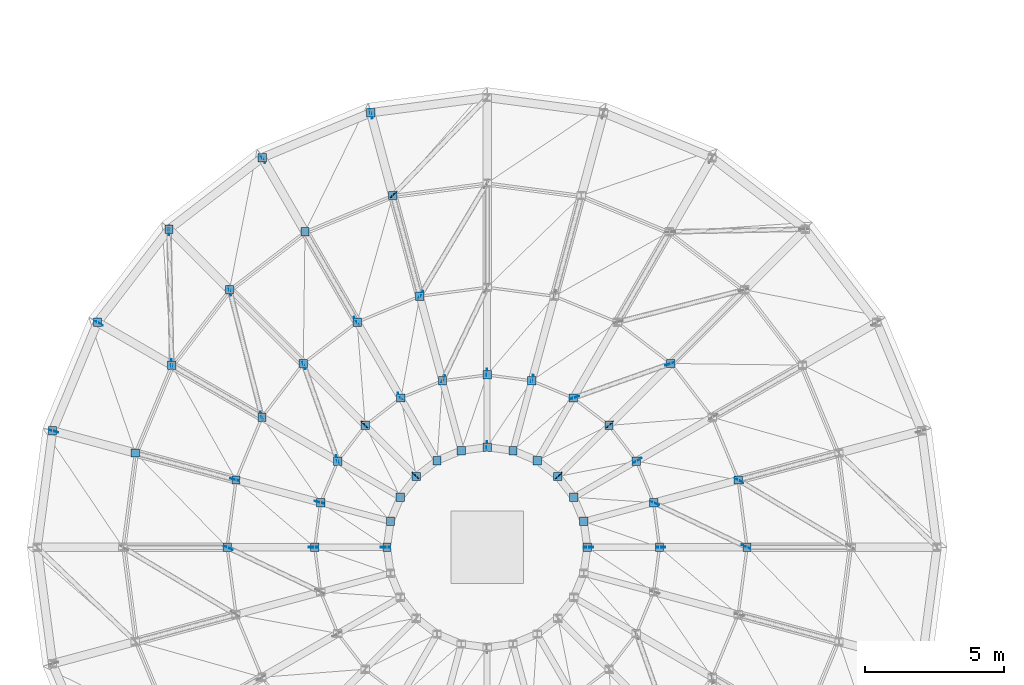
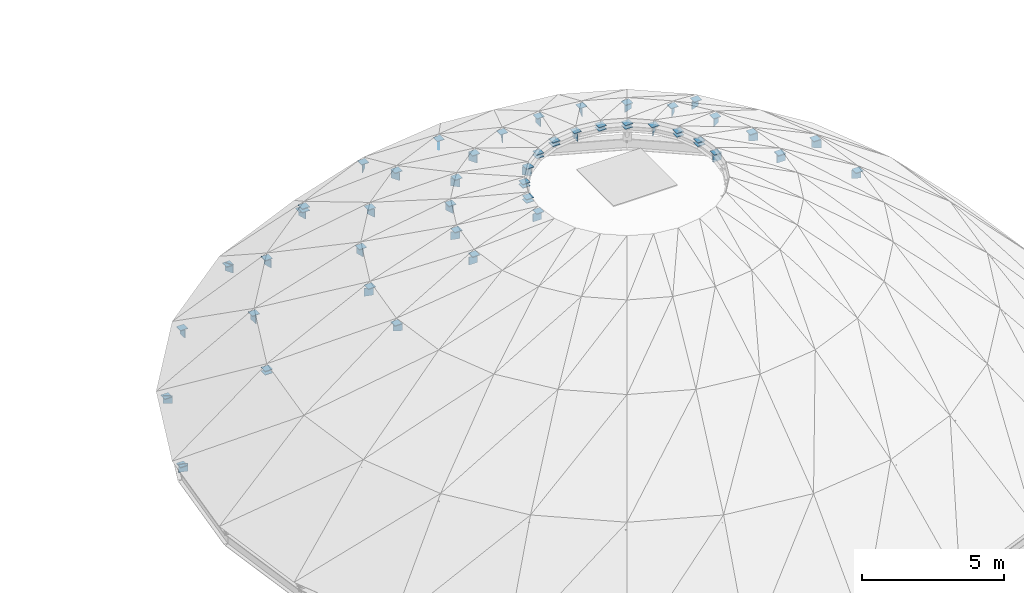
# One storey, part 17 of 19: 90 discrete accessories.
"""IFC4 building model written with IfcOpenShell, lengths in metres."""

import ifcopenshell
import ifcopenshell.guid

model = None  # the IFC model being written
_history = None  # IfcOwnerHistory: only IFC2X3 demands one
_inside = {}  # id of a spatial element -> (the spatial element, [elements in it])
_under = {}  # id of a project, library or spatial element -> (it, [spatial elements below it])
_declared = {}  # id of a project -> (the project, [libraries it declares])
_typed = {}  # id of a type object -> (the type object, [elements of that type])
_made_of = {}  # id of a material, layer set ... -> (it, [elements and type objects made of it])


def new_model(schema):
    """Start an empty IFC model of exactly this schema.

    Asked for "IFC4X3", IfcOpenShell would pick the latest addendum, in which some entities
    have other attributes; the version numbers below select the first issue.
    IFC2X3 requires an IfcOwnerHistory on every rooted entity: one is made here for all.
    """
    global model, _history
    if schema == "IFC4X3":
        model = ifcopenshell.file(schema_version=(4, 3, 0, 0))
    else:
        model = ifcopenshell.file(schema=schema)
    _inside.clear()
    _under.clear()
    _declared.clear()
    _typed.clear()
    _made_of.clear()
    _history = None
    if model.schema == "IFC2X3":
        org = make("IfcOrganization", Name="unknown")
        user = make(
            "IfcPersonAndOrganization",
            ThePerson=make("IfcPerson", FamilyName="unknown"),
            TheOrganization=org,
        )
        app = make(
            "IfcApplication",
            ApplicationDeveloper=org,
            Version="unknown",
            ApplicationFullName="unknown",
            ApplicationIdentifier="unknown",
        )
        _history = make(
            "IfcOwnerHistory",
            OwningUser=user,
            OwningApplication=app,
            ChangeAction="ADDED",
            CreationDate=0,
        )
    return model


def make(cls, **values):
    """One entity of the class cls with the attributes given. An attribute that is None is left unset."""
    return model.create_entity(
        cls, **{name: value for name, value in values.items() if value is not None}
    )


def rooted(cls, **values):
    """An entity with a GlobalId (a new one), such as an element, a storey or a relation."""
    return make(cls, GlobalId=ifcopenshell.guid.new(), OwnerHistory=_history, **values)


def si_unit(unit_type, name, prefix=None):
    """IfcSIUnit, for example si_unit("LENGTHUNIT", "METRE", prefix="MILLI")."""
    return make("IfcSIUnit", UnitType=unit_type, Prefix=prefix, Name=name)


def assignment(units):
    """IfcUnitAssignment: the units of a project."""
    return None if units is None else make("IfcUnitAssignment", Units=units)


def point(xyz):
    """IfcCartesianPoint."""
    return None if xyz is None else make("IfcCartesianPoint", Coordinates=xyz)


def direction(xyz):
    """IfcDirection."""
    return None if xyz is None else make("IfcDirection", DirectionRatios=xyz)


def frame(location, z_axis=None, x_axis=None):
    """IfcAxis2Placement3D, a coordinate frame: its origin and axes. An axis left out is left unset."""
    return make(
        "IfcAxis2Placement3D",
        Location=point(location),
        Axis=direction(z_axis),
        RefDirection=direction(x_axis),
    )


def frame_2d(location, x_axis=None):
    """IfcAxis2Placement2D, a coordinate frame in the plane: its origin and x axis."""
    return make(
        "IfcAxis2Placement2D", Location=point(location), RefDirection=direction(x_axis)
    )


def origin():
    """The frame at (0, 0, 0) with its axes left unset."""
    return frame((0.0, 0.0, 0.0))


def origin_2d():
    """The frame at (0, 0) in the plane with its x axis left unset."""
    return frame_2d((0.0, 0.0))


def place(relative_to, where):
    """IfcLocalPlacement: puts the frame where relative to a parent placement (None: the world)."""
    return make(
        "IfcLocalPlacement", PlacementRelTo=relative_to, RelativePlacement=where
    )


def context(
    kind, dimensions, precision=None, world=None, true_north=None, identifier=None
):
    """IfcGeometricRepresentationContext, for example the 3D "Model" context."""
    return make(
        "IfcGeometricRepresentationContext",
        ContextIdentifier=identifier,
        ContextType=kind,
        CoordinateSpaceDimension=dimensions,
        Precision=precision,
        WorldCoordinateSystem=world,
        TrueNorth=true_north,
    )


def subcontext(parent, identifier, kind, view, scale=None):
    """IfcGeometricRepresentationSubContext, for example "Body" below "Model"."""
    return make(
        "IfcGeometricRepresentationSubContext",
        ContextIdentifier=identifier,
        ContextType=kind,
        ParentContext=parent,
        TargetScale=scale,
        TargetView=view,
    )


def project(units=None, contexts=None):
    """IfcProject with its units and contexts."""
    return rooted(
        "IfcProject",
        Name="project",
        RepresentationContexts=contexts,
        UnitsInContext=assignment(units),
    )


def spatial(cls, under=None, at=None, **own):
    """A site, building, storey or space (cls), placed at a placement, below another one or the project."""
    s = rooted(cls, ObjectPlacement=at, **own)
    if under is not None:
        _under.setdefault(under.id(), (under, []))[1].append(s)
    return s


def profile(cls, at=None, kind="AREA", **sizes):
    """A parametric profile (cls). Its sizes go by their IFC names, for example OverallWidth=200.0."""
    return make(cls, ProfileType=kind, Position=at, **sizes)


def rectangle(**sizes):
    """IfcRectangleProfileDef."""
    return profile("IfcRectangleProfileDef", **sizes)


def extrude(swept, where, along, depth):
    """IfcExtrudedAreaSolid: the profile swept, set in the frame where, extruded along a direction by depth."""
    return make(
        "IfcExtrudedAreaSolid",
        SweptArea=swept,
        Position=where,
        ExtrudedDirection=direction(along),
        Depth=depth,
    )


def shape(context_of_items, identifier, shape_type, items):
    """IfcShapeRepresentation: the items that make up one representation, for example the "Body"."""
    return make(
        "IfcShapeRepresentation",
        ContextOfItems=context_of_items,
        RepresentationIdentifier=identifier,
        RepresentationType=shape_type,
        Items=items,
    )


def material(Name=None, Category=None):
    """IfcMaterial."""
    return make("IfcMaterial", Name=Name, Category=Category)


def made_of(thing, what):
    """Note that an element or type object is made of a material, layer set ...; save() writes the relation."""
    if what is not None:
        _made_of.setdefault(what.id(), (what, []))[1].append(thing)
    return thing


def type_object(cls, material=None, **own):
    """A type object (cls), such as IfcWallType, which elements share."""
    return made_of(rooted(cls, **own), material)


def element(
    cls,
    number,
    at=None,
    inside=None,
    cuts=None,
    type_object=None,
    material=None,
    context=None,
    identifier="Body",
    shape_type=None,
    held_by="IfcProductDefinitionShape",
    body=None,
    shapes=None,
    **own,
):
    """One element of the class cls, such as IfcWall. Its Tag is "e" and its number.

    at: its placement. inside: the storey or other place that contains it. cuts: it is an
    opening in that element (IfcRelVoidsElement). A single representation is given by context,
    identifier, shape_type and body (its items); several are given by shapes. held_by: the class
    of the entity that holds the representations. save() writes the other relations.
    """
    e = rooted(cls, Tag="e%d" % number, ObjectPlacement=at, **own)
    if body is not None:
        shapes = [shape(context, identifier, shape_type, body)]
    if shapes is not None:
        e.Representation = make(held_by, Representations=shapes)
    if inside is not None:
        _inside.setdefault(inside.id(), (inside, []))[1].append(e)
    if cuts is not None:
        rooted(
            "IfcRelVoidsElement", RelatingBuildingElement=cuts, RelatedOpeningElement=e
        )
    if type_object is not None:
        _typed.setdefault(type_object.id(), (type_object, []))[1].append(e)
    return made_of(e, material)


def aggregate(whole, parts):
    """IfcRelAggregates: a whole, such as a stair, and the parts it consists of."""
    return rooted("IfcRelAggregates", RelatingObject=whole, RelatedObjects=parts)


def save(model, path):
    """Write the relations noted so far, then the file.

    IfcRelAggregates (storeys below a building ...), IfcRelContainedInSpatialStructure (elements
    in a storey), IfcRelDefinesByType, IfcRelAssociatesMaterial and IfcRelDeclares: one each for
    every whole, place, type object, material and project.
    """
    for whole, parts in _under.values():
        aggregate(whole, parts)
    for where, things in _inside.values():
        rooted(
            "IfcRelContainedInSpatialStructure",
            RelatedElements=things,
            RelatingStructure=where,
        )
    for kind, things in _typed.values():
        rooted("IfcRelDefinesByType", RelatedObjects=things, RelatingType=kind)
    for what, things in _made_of.values():
        rooted("IfcRelAssociatesMaterial", RelatedObjects=things, RelatingMaterial=what)
    for by, libraries in _declared.values():
        rooted("IfcRelDeclares", RelatingContext=by, RelatedDefinitions=libraries)
    model.write(path)


model = new_model("IFC4")

# Units and contexts
model_context = context("Model", 3, precision=1e-05, world=origin(), true_north=direction((0.0, 1.0)))
body_context = subcontext(model_context, "Body", "Model", "MODEL_VIEW")
ifc_project = project(units=[si_unit("LENGTHUNIT", "METRE"), si_unit("AREAUNIT", "SQUARE_METRE"), si_unit("VOLUMEUNIT", "CUBIC_METRE"), si_unit("PLANEANGLEUNIT", "RADIAN"), si_unit("MASSUNIT", "GRAM", prefix="KILO")], contexts=[model_context])

# Site, building, storey
site_placement = place(None, origin())
site = spatial("IfcSite", under=ifc_project, at=site_placement, CompositionType="ELEMENT")
building_placement = place(site_placement, origin())
building = spatial("IfcBuilding", under=site, at=building_placement, Name="Montecoro Central Library", CompositionType="ELEMENT")
storey_placement = place(building_placement, frame((0.0, 0.0, 25.5)))
storey = spatial("IfcBuildingStorey", under=building, at=storey_placement, Name="ROOF", CompositionType="ELEMENT", Elevation=25.5)

# Discrete accessories
ifc_material = material(Name="Steel S355", Category="steel")
discrete_accessory_type = type_object("IfcDiscreteAccessoryType", Name="GUSSET-PLT-01", PredefinedType="BRACKET", material=ifc_material)
for number, where, z_axis, x_axis, name in (
    (1, (100.6669921875, 37.798095703125, -1.94580078125), (0.0, 0.0, 1.0), (-0.859406411501, 0.511293086077, 0.0), "V1-DOME-BR-B1-S2-GPB"),
    (2, (100.909912109375, 35.4189453125, -1.89794921875), (0.0, 0.0, 1.0), (-0.902434952642, 0.430826132274, 0.0), "V1-DOME-BR-B1-S3-GPA"),
    (3, (97.62890625, 36.986083984375, -0.09228515625), (0.0, 0.0, 1.0), (-0.902434952642, 0.430826132274, 0.0), "V1-DOME-BR-B1-S3-GPB"),
    (4, (98.1689453125, 41.99609375, -1.89794921875), (0.0, 0.0, 1.0), (-0.942757954236, -0.33347779495, 0.0), "V1-DOME-BR-B2-S3-GPA"),
    (5, (94.741943359375, 40.783935546875, -0.09228515625), (0.0, 0.0, 1.0), (-0.942757954236, -0.33347779495, 0.0), "V1-DOME-BR-B2-S3-GPB"),
    (6, (88.237060546875, 48.0830078125, -4.7998046875), (0.0, 0.0, 1.0), (-0.69315026625, -0.720793110676, 0.0), "V1-DOME-BR-B3-S1-GPB"),
    (7, (89.201904296875, 44.467041015625, -1.94580078125), (0.0, 0.0, 1.0), (-0.511293086077, -0.859406411501, 0.0), "V1-DOME-BR-B3-S2-GPB"),
    (8, (90.013916015625, 41.428955078125, -0.09228515625), (0.0, 0.0, 1.0), (-0.430826132274, -0.902434952642, 0.0), "V1-DOME-BR-B3-S3-GPB"),
    (9, (80.159912109375, 46.801025390625, -8.2998046875), (0.0, 0.0, 1.0), (0.019720942027, -0.999805523312, 0.0), "V1-DOME-BR-B4-S1-GPA"),
    (10, (80.25390625, 41.989990234375, -4.7998046875), (0.0, 0.0, 1.0), (0.019720942027, -0.999805523312, 0.0), "V1-DOME-BR-B4-S1-GPB"),
    (11, (82.346923828125, 44.6220703125, -4.744140625), (0.0, 0.0, 1.0), (0.246322451985, -0.96918793309, 0.0), "V1-DOME-BR-B4-S2-GPA"),
    (12, (83.492919921875, 40.115966796875, -1.94580078125), (0.0, 0.0, 1.0), (0.246322451985, -0.96918793309, 0.0), "V1-DOME-BR-B4-S2-GPB"),
    (13, (85.00390625, 41.968994140625, -1.89794921875), (0.0, 0.0, 1.0), (0.33347779495, -0.942757954236, 0.0), "V1-DOME-BR-B4-S3-GPA"),
    (14, (86.216064453125, 38.5419921875, -0.09228515625), (0.0, 0.0, 1.0), (0.33347779495, -0.942757954236, 0.0), "V1-DOME-BR-B4-S3-GPB"),
    (15, (82.2900390625, 35.381103515625, -1.89794921875), (0.0, 0.0, 1.0), (0.902434952642, -0.430826132274, 0.0), "V1-DOME-BR-B5-S3-GPA"),
    (16, (97.845947265625, 35.39990234375, -0.10888671875), (0.0, 0.0, 1.0), (-1.0, 0.0, 0.0), "V1-DOME-SPK-R3-01-GPB"),
    (17, (95.248046875, 35.39990234375, 0.833984375), (0.0, 0.0, 1.0), (-1.0, 0.0, 0.0), "V1-DOME-SPK-R4-01-GPB"),
    (18, (97.009033203125, 38.52294921875, -0.10888671875), (0.0, 0.0, 1.0), (-0.866112657056, -0.499848842438, 0.0), "V1-DOME-SPK-R3-03-GPB"),
    (19, (96.01708984375, 39.81689453125, -0.10888671875), (0.0, 0.0, 1.0), (-0.707106781187, -0.707106781187, 0.0), "V1-DOME-SPK-R3-04-GPB"),
    (20, (94.179931640625, 37.97998046875, 0.833984375), (0.0, 0.0, 1.0), (-0.707106781187, -0.707106781187, 0.0), "V1-DOME-SPK-R4-04-GPB"),
    (21, (93.217041015625, 41.43408203125, -0.10888671875), (0.0, 0.0, 1.0), (-0.258819045103, -0.965925826289, 0.0), "V1-DOME-SPK-R3-06-GPB"),
    (22, (91.60009765625, 41.64599609375, -0.10888671875), (0.0, 0.0, 1.0), (0.0, -1.0, 0.0), "V1-DOME-SPK-R3-07-GPB"),
    (23, (91.60009765625, 39.048095703125, 0.833984375), (0.0, 0.0, 1.0), (0.0, -1.0, 0.0), "V1-DOME-SPK-R4-07-GPB"),
    (24, (87.424072265625, 50.987060546875, -8.2890625), (0.0, 0.0, 1.0), (0.258819045103, -0.965925826289, 0.0), "V1-DOME-SPK-R2-08-GPA"),
    (25, (83.531982421875, 49.3740234375, -8.2890625), (0.0, 0.0, 1.0), (0.500151142331, -0.865938124132, 0.0), "V1-DOME-SPK-R2-09-GPA"),
    (26, (86.903076171875, 43.534912109375, -1.9609375), (0.0, 0.0, 1.0), (0.500151142331, -0.865938124132, 0.0), "V1-DOME-SPK-R2-09-GPB"),
    (27, (88.47705078125, 40.80908203125, -0.10888671875), (0.0, 0.0, 1.0), (0.499848842438, -0.866112657056, 0.0), "V1-DOME-SPK-R3-09-GPB"),
    (28, (87.18310546875, 39.81689453125, -0.10888671875), (0.0, 0.0, 1.0), (0.707106781187, -0.707106781187, 0.0), "V1-DOME-SPK-R3-10-GPB"),
    (29, (89.02001953125, 37.97998046875, 0.833984375), (0.0, 0.0, 1.0), (0.707106781187, -0.707106781187, 0.0), "V1-DOME-SPK-R4-10-GPB"),
    (30, (77.6259765625, 43.468017578125, -8.2890625), (0.0, 0.0, 1.0), (0.865938124132, -0.500151142331, 0.0), "V1-DOME-SPK-R2-11-GPA"),
    (31, (76.012939453125, 39.575927734375, -8.2890625), (0.0, 0.0, 1.0), (0.965925826289, -0.258819045103, 0.0), "V1-DOME-SPK-R2-12-GPA"),
    (32, (82.527099609375, 37.83203125, -1.9609375), (0.0, 0.0, 1.0), (0.965925826289, -0.258819045103, 0.0), "V1-DOME-SPK-R2-12-GPB"),
    (33, (85.56591796875, 37.01708984375, -0.10888671875), (0.0, 0.0, 1.0), (0.965925826289, -0.258819045103, 0.0), "V1-DOME-SPK-R3-12-GPB"),
    (34, (85.35400390625, 35.39990234375, -0.10888671875), (0.0, 0.0, 1.0), (1.0, 0.0, 0.0), "V1-DOME-SPK-R3-13-GPB"),
    (35, (87.951904296875, 35.39990234375, 0.833984375), (0.0, 0.0, 1.0), (1.0, 0.0, 0.0), "V1-DOME-SPK-R4-13-GPB"),
):
    element("IfcDiscreteAccessory", number, at=place(storey_placement, frame(where, z_axis=z_axis, x_axis=x_axis)), inside=storey, type_object=discrete_accessory_type, Name=name, PredefinedType="BRACKET", context=body_context, shape_type="SweptSolid", body=[
        extrude(rectangle(XDim=0.340087890625, YDim=0.02392578125, at=origin_2d()), origin(), (0.0, 0.0, 1.0), 0.340087890625),
    ])
for number, where, z_axis, x_axis, name in (
    (36, (87.412109375, 51.029052734375, -7.98193359375), (0.0, 0.0, 1.0), (1.0, 0.0, 0.0), "V1-DOME-STOOL-R0-08-GPB"),
    (37, (83.510009765625, 49.412109375, -7.98193359375), (0.0, 0.0, 1.0), (1.0, 0.0, 0.0), "V1-DOME-STOOL-R0-09-GPB"),
    (38, (80.158935546875, 46.841064453125, -7.98193359375), (0.0, 0.0, 1.0), (1.0, 0.0, 0.0), "V1-DOME-STOOL-R0-10-GPB"),
    (39, (77.587890625, 43.489990234375, -7.98193359375), (0.0, 0.0, 1.0), (1.0, 0.0, 0.0), "V1-DOME-STOOL-R0-11-GPB"),
    (40, (75.970947265625, 39.587890625, -7.98193359375), (0.0, 0.0, 1.0), (1.0, 0.0, 0.0), "V1-DOME-STOOL-R0-12-GPB"),
    (41, (88.208984375, 48.053955078125, -4.421875), (0.0, 0.0, 1.0), (1.0, 0.0, 0.0), "V1-DOME-STOOL-R1-08-GPB"),
    (42, (85.050048828125, 46.7451171875, -4.572021484375), (0.0, 0.0, 1.0), (1.0, 0.0, 0.0), "V1-DOME-STOOL-R1-09-GPA"),
    (43, (85.050048828125, 46.7451171875, -4.421875), (0.0, 0.0, 1.0), (1.0, 0.0, 0.0), "V1-DOME-STOOL-R1-09-GPB"),
    (44, (82.3369140625, 44.6630859375, -4.421875), (0.0, 0.0, 1.0), (1.0, 0.0, 0.0), "V1-DOME-STOOL-R1-10-GPB"),
    (45, (80.2548828125, 41.949951171875, -4.421875), (0.0, 0.0, 1.0), (1.0, 0.0, 0.0), "V1-DOME-STOOL-R1-11-GPB"),
    (46, (78.946044921875, 38.791015625, -4.572021484375), (0.0, 0.0, 1.0), (1.0, 0.0, 0.0), "V1-DOME-STOOL-R1-12-GPA"),
    (47, (78.946044921875, 38.791015625, -4.421875), (0.0, 0.0, 1.0), (1.0, 0.0, 0.0), "V1-DOME-STOOL-R1-12-GPB"),
    (48, (100.949951171875, 35.39990234375, -1.572021484375), (0.0, 0.0, 1.0), (1.0, 0.0, 0.0), "V1-DOME-STOOL-R2-01-GPB"),
    (49, (100.631103515625, 37.820068359375, -1.572021484375), (0.0, 0.0, 1.0), (1.0, 0.0, 0.0), "V1-DOME-STOOL-R2-02-GPB"),
    (50, (98.2109375, 42.010986328125, -1.572021484375), (0.0, 0.0, 1.0), (1.0, 0.0, 0.0), "V1-DOME-STOOL-R2-04-GPB"),
    (51, (89.179931640625, 44.430908203125, -1.572021484375), (0.0, 0.0, 1.0), (1.0, 0.0, 0.0), "V1-DOME-STOOL-R2-08-GPB"),
    (52, (86.925048828125, 43.4970703125, -1.572021484375), (0.0, 0.0, 1.0), (1.0, 0.0, 0.0), "V1-DOME-STOOL-R2-09-GPB"),
    (53, (84.989013671875, 42.010986328125, -1.572021484375), (0.0, 0.0, 1.0), (1.0, 0.0, 0.0), "V1-DOME-STOOL-R2-10-GPB"),
    (54, (83.5029296875, 40.074951171875, -1.572021484375), (0.0, 0.0, 1.0), (1.0, 0.0, 0.0), "V1-DOME-STOOL-R2-11-GPB"),
    (55, (82.569091796875, 37.820068359375, -1.572021484375), (0.0, 0.0, 1.0), (1.0, 0.0, 0.0), "V1-DOME-STOOL-R2-12-GPB"),
    (56, (82.25, 35.39990234375, -1.572021484375), (0.0, 0.0, 1.0), (1.0, 0.0, 0.0), "V1-DOME-STOOL-R2-13-GPB"),
    (57, (97.800048828125, 35.39990234375, 0.278076171875), (0.0, 0.0, 1.0), (1.0, 0.0, 0.0), "V1-DOME-STOOL-R3-01-GPB"),
    (58, (97.589111328125, 37.0048828125, 0.278076171875), (0.0, 0.0, 1.0), (1.0, 0.0, 0.0), "V1-DOME-STOOL-R3-02-GPB"),
    (59, (96.968994140625, 38.5, 0.278076171875), (0.0, 0.0, 1.0), (1.0, 0.0, 0.0), "V1-DOME-STOOL-R3-03-GPB"),
    (60, (95.98388671875, 39.783935546875, 0.278076171875), (0.0, 0.0, 1.0), (1.0, 0.0, 0.0), "V1-DOME-STOOL-R3-04-GPB"),
    (61, (94.699951171875, 40.76904296875, 0.278076171875), (0.0, 0.0, 1.0), (1.0, 0.0, 0.0), "V1-DOME-STOOL-R3-05-GPB"),
    (62, (93.205078125, 41.388916015625, 0.278076171875), (0.0, 0.0, 1.0), (1.0, 0.0, 0.0), "V1-DOME-STOOL-R3-06-GPB"),
    (63, (91.60009765625, 41.60009765625, 0.278076171875), (0.0, 0.0, 1.0), (1.0, 0.0, 0.0), "V1-DOME-STOOL-R3-07-GPB"),
    (64, (89.9951171875, 41.388916015625, 0.278076171875), (0.0, 0.0, 1.0), (1.0, 0.0, 0.0), "V1-DOME-STOOL-R3-08-GPB"),
    (65, (88.5, 40.76904296875, 0.278076171875), (0.0, 0.0, 1.0), (1.0, 0.0, 0.0), "V1-DOME-STOOL-R3-09-GPB"),
    (66, (87.216064453125, 39.783935546875, 0.278076171875), (0.0, 0.0, 1.0), (1.0, 0.0, 0.0), "V1-DOME-STOOL-R3-10-GPB"),
    (67, (86.23095703125, 38.5, 0.278076171875), (0.0, 0.0, 1.0), (1.0, 0.0, 0.0), "V1-DOME-STOOL-R3-11-GPB"),
    (68, (85.611083984375, 37.0048828125, 0.278076171875), (0.0, 0.0, 1.0), (1.0, 0.0, 0.0), "V1-DOME-STOOL-R3-12-GPB"),
    (69, (85.39990234375, 35.39990234375, 0.278076171875), (0.0, 0.0, 1.0), (1.0, 0.0, 0.0), "V1-DOME-STOOL-R3-13-GPB"),
    (70, (95.199951171875, 35.39990234375, 1.218017578125), (0.0, 0.0, 1.0), (1.0, 0.0, 0.0), "V1-DOME-STOOL-R4-01-GPB"),
    (71, (95.076904296875, 36.33203125, 1.068115234375), (0.0, 0.0, 1.0), (1.0, 0.0, 0.0), "V1-DOME-STOOL-R4-02-GPA"),
    (72, (95.076904296875, 36.33203125, 1.218017578125), (0.0, 0.0, 1.0), (1.0, 0.0, 0.0), "V1-DOME-STOOL-R4-02-GPB"),
    (73, (94.718017578125, 37.199951171875, 1.068115234375), (0.0, 0.0, 1.0), (1.0, 0.0, 0.0), "V1-DOME-STOOL-R4-03-GPA"),
    (74, (94.718017578125, 37.199951171875, 1.218017578125), (0.0, 0.0, 1.0), (1.0, 0.0, 0.0), "V1-DOME-STOOL-R4-03-GPB"),
    (75, (94.14599609375, 37.946044921875, 1.218017578125), (0.0, 0.0, 1.0), (1.0, 0.0, 0.0), "V1-DOME-STOOL-R4-04-GPB"),
    (76, (93.39990234375, 38.51806640625, 1.068115234375), (0.0, 0.0, 1.0), (1.0, 0.0, 0.0), "V1-DOME-STOOL-R4-05-GPA"),
    (77, (93.39990234375, 38.51806640625, 1.218017578125), (0.0, 0.0, 1.0), (1.0, 0.0, 0.0), "V1-DOME-STOOL-R4-05-GPB"),
    (78, (92.531982421875, 38.876953125, 1.068115234375), (0.0, 0.0, 1.0), (1.0, 0.0, 0.0), "V1-DOME-STOOL-R4-06-GPA"),
    (79, (92.531982421875, 38.876953125, 1.218017578125), (0.0, 0.0, 1.0), (1.0, 0.0, 0.0), "V1-DOME-STOOL-R4-06-GPB"),
    (80, (91.60009765625, 39.0, 1.218017578125), (0.0, 0.0, 1.0), (1.0, 0.0, 0.0), "V1-DOME-STOOL-R4-07-GPB"),
    (81, (90.66796875, 38.876953125, 1.068115234375), (0.0, 0.0, 1.0), (1.0, 0.0, 0.0), "V1-DOME-STOOL-R4-08-GPA"),
    (82, (90.66796875, 38.876953125, 1.218017578125), (0.0, 0.0, 1.0), (1.0, 0.0, 0.0), "V1-DOME-STOOL-R4-08-GPB"),
    (83, (89.800048828125, 38.51806640625, 1.068115234375), (0.0, 0.0, 1.0), (1.0, 0.0, 0.0), "V1-DOME-STOOL-R4-09-GPA"),
    (84, (89.800048828125, 38.51806640625, 1.218017578125), (0.0, 0.0, 1.0), (1.0, 0.0, 0.0), "V1-DOME-STOOL-R4-09-GPB"),
    (85, (89.053955078125, 37.946044921875, 1.218017578125), (0.0, 0.0, 1.0), (1.0, 0.0, 0.0), "V1-DOME-STOOL-R4-10-GPB"),
    (86, (88.48193359375, 37.199951171875, 1.068115234375), (0.0, 0.0, 1.0), (1.0, 0.0, 0.0), "V1-DOME-STOOL-R4-11-GPA"),
    (87, (88.48193359375, 37.199951171875, 1.218017578125), (0.0, 0.0, 1.0), (1.0, 0.0, 0.0), "V1-DOME-STOOL-R4-11-GPB"),
    (88, (88.123046875, 36.33203125, 1.068115234375), (0.0, 0.0, 1.0), (1.0, 0.0, 0.0), "V1-DOME-STOOL-R4-12-GPA"),
    (89, (88.123046875, 36.33203125, 1.218017578125), (0.0, 0.0, 1.0), (1.0, 0.0, 0.0), "V1-DOME-STOOL-R4-12-GPB"),
    (90, (88.0, 35.39990234375, 1.218017578125), (0.0, 0.0, 1.0), (1.0, 0.0, 0.0), "V1-DOME-STOOL-R4-13-GPB"),
):
    element("IfcDiscreteAccessory", number, at=place(storey_placement, frame(where, z_axis=z_axis, x_axis=x_axis)), inside=storey, type_object=discrete_accessory_type, Name=name, PredefinedType="BRACKET", context=body_context, shape_type="SweptSolid", body=[
        extrude(rectangle(XDim=0.300048828125, YDim=0.300048828125, at=origin_2d()), origin(), (0.0, 0.0, 1.0), 0.02392578125),
    ])

save(model, "model.ifc")
